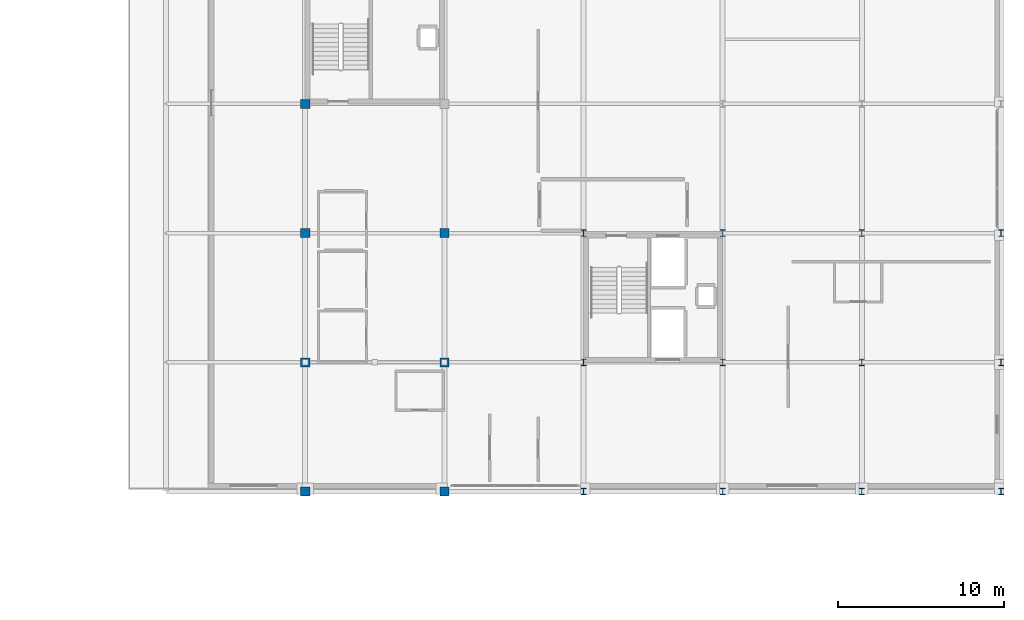
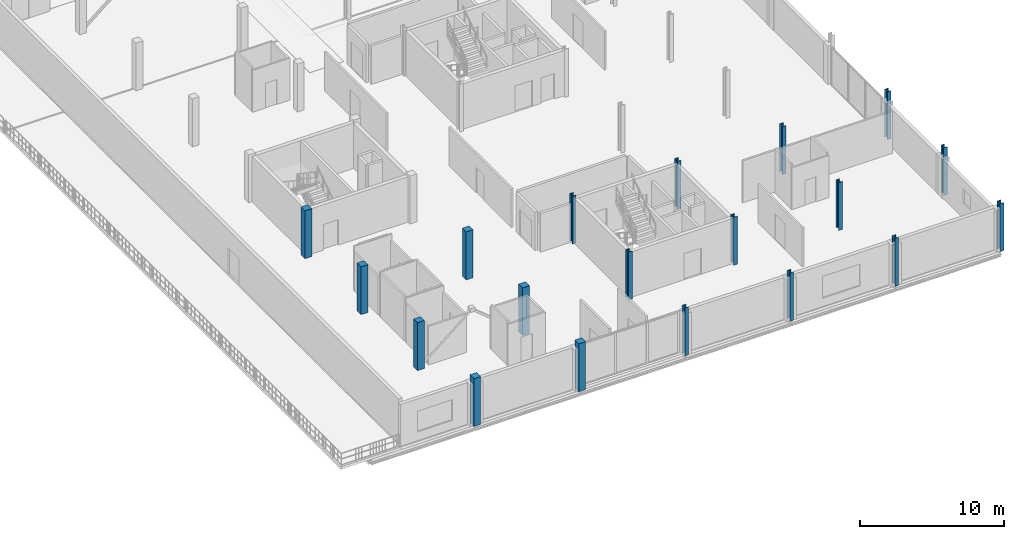
# One storey, part 1 of 20: 19 columns.
"""IFC4 building model written with IfcOpenShell, lengths in metres."""

from ifc_helpers import new_model, si_unit, direction, frame, origin, origin_2d, place, context, subcontext, project, spatial, rectangle, i_section, extrude, material, material_profile, profile_set, type_object, element, save


model = new_model("IFC4")

# Units and contexts
model_context = context("Model", 3, precision=1e-05, world=origin(), true_north=direction((0.0, 1.0)))
body_context = subcontext(model_context, "Body", "Model", "MODEL_VIEW")
ifc_project = project(units=[si_unit("LENGTHUNIT", "METRE"), si_unit("AREAUNIT", "SQUARE_METRE"), si_unit("VOLUMEUNIT", "CUBIC_METRE"), si_unit("PLANEANGLEUNIT", "RADIAN"), si_unit("MASSUNIT", "GRAM", prefix="KILO")], contexts=[model_context])

# Site, building, storey
site_placement = place(None, origin())
site = spatial("IfcSite", under=ifc_project, at=site_placement, CompositionType="ELEMENT")
building_placement = place(site_placement, origin())
building = spatial("IfcBuilding", under=site, at=building_placement, Name="Nabrawat Pavilion Hospital", CompositionType="ELEMENT")
storey_placement = place(building_placement, frame((0.0, 0.0, 27.0)))
storey = spatial("IfcBuildingStorey", under=building, at=storey_placement, Name="L06", CompositionType="ELEMENT", Elevation=27.0)

# Columns
ifc_material_1 = material(Name="Steel S355", Category="steel")
ifc_material_profile_1 = material_profile(ifc_material_1, i_section(OverallWidth=0.300048828125, OverallDepth=0.39990234375, WebThickness=0.013427734375, FlangeThickness=0.02392578125, FilletRadius=0.027099609375, at=origin_2d()), Name="HEB 400")
ifc_profile_set_1 = profile_set([ifc_material_profile_1], Name="Steel S355")
column_type_1 = type_object("IfcColumnType", Name="Composite Steel Column HEB 400", PredefinedType="COLUMN", material=ifc_profile_set_1)
for number, where, z_axis, x_axis, name in (
    (1, (168.0, 39.0, 0.0), (0.0, 0.0, 1.0), (1.0, 0.0, 0.0), "L06 Structural Column G-21-F1"),
    (2, (168.0, 46.800048828125, 0.0), (0.0, 0.0, 1.0), (1.0, 0.0, 0.0), "L06 Structural Column G-21-G"),
    (3, (168.0, 54.60009765625, 0.0), (0.0, 0.0, 1.0), (1.0, 0.0, 0.0), "L06 Structural Column G-21-H"),
    (4, (176.39990234375, 39.0, 0.0), (0.0, 0.0, 1.0), (1.0, 0.0, 0.0), "L06 Structural Column G-22-F1"),
    (5, (176.39990234375, 46.800048828125, 0.0), (0.0, 0.0, 1.0), (1.0, 0.0, 0.0), "L06 Structural Column G-22-G"),
    (6, (176.39990234375, 54.60009765625, 0.0), (0.0, 0.0, 1.0), (1.0, 0.0, 0.0), "L06 Structural Column G-22-H"),
    (7, (184.800048828125, 39.0, 0.0), (0.0, 0.0, 1.0), (1.0, 0.0, 0.0), "L06 Structural Column G-23-F1"),
    (8, (184.800048828125, 46.800048828125, 0.0), (0.0, 0.0, 1.0), (1.0, 0.0, 0.0), "L06 Structural Column G-23-G"),
    (9, (184.800048828125, 54.60009765625, 0.0), (0.0, 0.0, 1.0), (1.0, 0.0, 0.0), "L06 Structural Column G-23-H"),
    (10, (193.199951171875, 39.0, 0.0), (0.0, 0.0, 1.0), (1.0, 0.0, 0.0), "L06 Structural Column G-24-F1"),
    (11, (193.199951171875, 46.800048828125, 0.0), (0.0, 0.0, 1.0), (1.0, 0.0, 0.0), "L06 Structural Column G-24-G"),
    (12, (193.199951171875, 54.60009765625, 0.0), (0.0, 0.0, 1.0), (1.0, 0.0, 0.0), "L06 Structural Column G-24-H"),
):
    element("IfcColumn", number, at=place(storey_placement, frame(where, z_axis=z_axis, x_axis=x_axis)), inside=storey, type_object=column_type_1, Name=name, PredefinedType="COLUMN", context=body_context, shape_type="SweptSolid", body=[
        extrude(i_section(OverallWidth=0.300048828125, OverallDepth=0.39990234375, WebThickness=0.013427734375, FlangeThickness=0.02392578125, FilletRadius=0.027099609375, at=origin_2d()), origin(), (0.0, 0.0, 1.0), 4.050048828125),
    ])
ifc_material_2 = material(Name="Concrete C40/50", Category="concrete")
ifc_material_profile_2 = material_profile(ifc_material_2, rectangle(XDim=0.550048828125, YDim=0.550048828125, at=origin_2d()), Name="RC 550x550")
ifc_profile_set_2 = profile_set([ifc_material_profile_2], Name="Concrete C40/50")
column_type_2 = type_object("IfcColumnType", Name="Top Ward RC Column 550x550", PredefinedType="COLUMN", material=ifc_profile_set_2)
for number, where, z_axis, x_axis, name in (
    (13, (151.199951171875, 39.0, 0.0), (0.0, 0.0, 1.0), (1.0, 0.0, 0.0), "L06 Structural Column G-19-F1"),
    (14, (151.199951171875, 46.800048828125, 0.0), (0.0, 0.0, 1.0), (1.0, 0.0, 0.0), "L06 Structural Column G-19-G"),
    (15, (151.199951171875, 54.60009765625, 0.0), (0.0, 0.0, 1.0), (1.0, 0.0, 0.0), "L06 Structural Column G-19-H"),
    (16, (151.199951171875, 62.39990234375, 0.0), (0.0, 0.0, 1.0), (1.0, 0.0, 0.0), "L06 Structural Column G-19-J"),
    (17, (159.60009765625, 39.0, 0.0), (0.0, 0.0, 1.0), (1.0, 0.0, 0.0), "L06 Structural Column G-20-F1"),
    (18, (159.60009765625, 46.800048828125, 0.0), (0.0, 0.0, 1.0), (1.0, 0.0, 0.0), "L06 Structural Column G-20-G"),
    (19, (159.60009765625, 54.60009765625, 0.0), (0.0, 0.0, 1.0), (1.0, 0.0, 0.0), "L06 Structural Column G-20-H"),
):
    element("IfcColumn", number, at=place(storey_placement, frame(where, z_axis=z_axis, x_axis=x_axis)), inside=storey, type_object=column_type_2, Name=name, PredefinedType="COLUMN", context=body_context, shape_type="SweptSolid", body=[
        extrude(rectangle(XDim=0.550048828125, YDim=0.550048828125, at=origin_2d()), origin(), (0.0, 0.0, 1.0), 4.050048828125),
    ])

save(model, "model.ifc")
